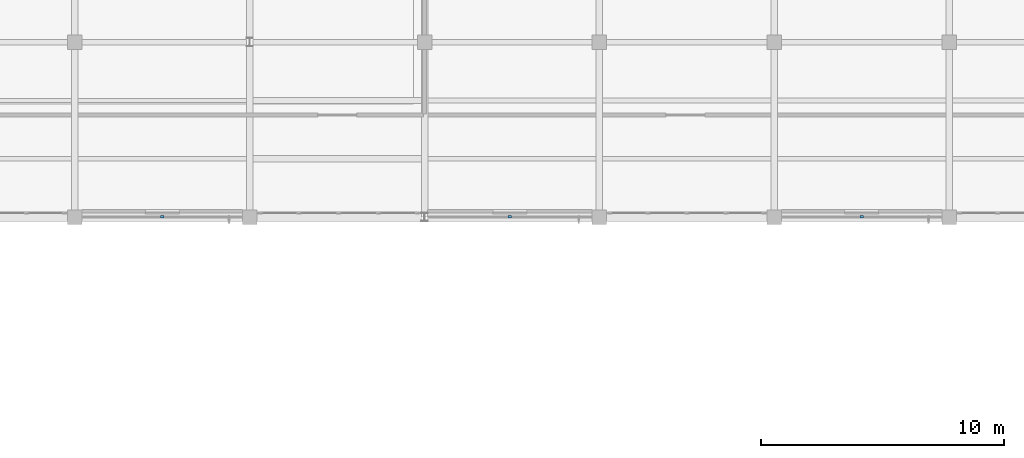
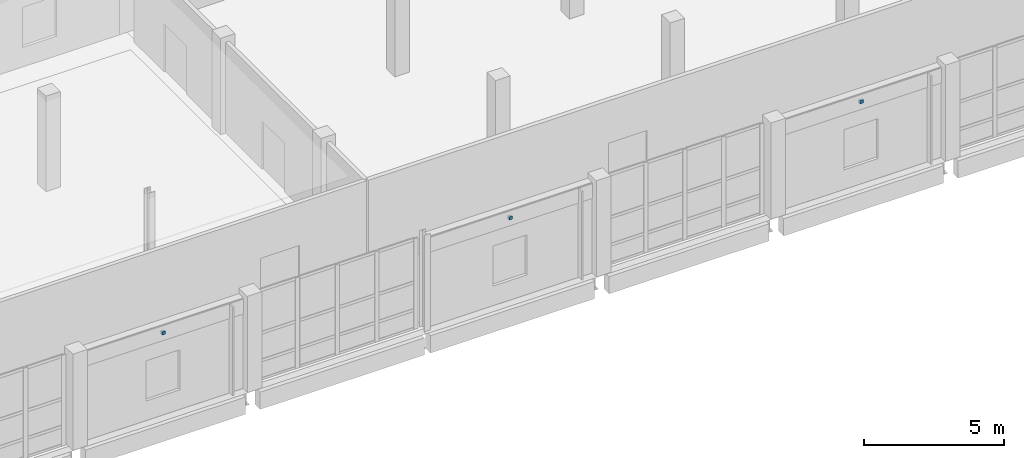
# One storey, part 78 of 94: 3 discrete accessories.
"""IFC4 building model written with IfcOpenShell, lengths in metres."""

from ifc_helpers import new_model, si_unit, direction, frame, origin, origin_2d, place, context, subcontext, project, spatial, rectangle, extrude, material, type_object, element, save


model = new_model("IFC4")

# Units and contexts
model_context = context("Model", 3, precision=1e-05, world=origin(), true_north=direction((0.0, 1.0)))
body_context = subcontext(model_context, "Body", "Model", "MODEL_VIEW")
ifc_project = project(units=[si_unit("LENGTHUNIT", "METRE"), si_unit("AREAUNIT", "SQUARE_METRE"), si_unit("VOLUMEUNIT", "CUBIC_METRE"), si_unit("PLANEANGLEUNIT", "RADIAN"), si_unit("MASSUNIT", "GRAM", prefix="KILO")], contexts=[model_context])

# Site, building, storey
site_placement = place(None, origin())
site = spatial("IfcSite", under=ifc_project, at=site_placement, CompositionType="ELEMENT")
building_placement = place(site_placement, origin())
building = spatial("IfcBuilding", under=site, at=building_placement, Name="Kalmorath City Hall", CompositionType="ELEMENT")
storey_placement = place(building_placement, frame((0.0, 0.0, 14.699951171875)))
storey = spatial("IfcBuildingStorey", under=building, at=storey_placement, Name="L03", CompositionType="ELEMENT", Elevation=14.699951171875)

# Discrete accessories
ifc_material = material(Name="Stainless steel Grade 316", Category="steel")
discrete_accessory_type = type_object("IfcDiscreteAccessoryType", Name="Stainless rainscreen support bracket", PredefinedType="BRACKET", material=ifc_material)
for number, where, z_axis, x_axis, name in (
    (1, (104.39990234375, 93.610107421875, 3.5302734375), (0.0, 0.0, 1.0), (-1.0, 0.0, 0.0), "L03 basalt anchor bracket #70"),
    (2, (89.91357421875, 93.610107421875, 3.5302734375), (0.0, 0.0, 1.0), (-1.0, 0.0, 0.0), "L03 basalt anchor bracket #71"),
    (3, (75.60009765625, 93.610107421875, 3.5302734375), (0.0, 0.0, 1.0), (-1.0, 0.0, 0.0), "L03 basalt anchor bracket #72"),
):
    element("IfcDiscreteAccessory", number, at=place(storey_placement, frame(where, z_axis=z_axis, x_axis=x_axis)), inside=storey, type_object=discrete_accessory_type, Name=name, PredefinedType="BRACKET", context=body_context, shape_type="SweptSolid", body=[
        extrude(rectangle(XDim=0.139892578125, YDim=0.10009765625, at=origin_2d()), origin(), (0.0, 0.0, 1.0), 0.139892578125),
    ])

save(model, "model.ifc")
